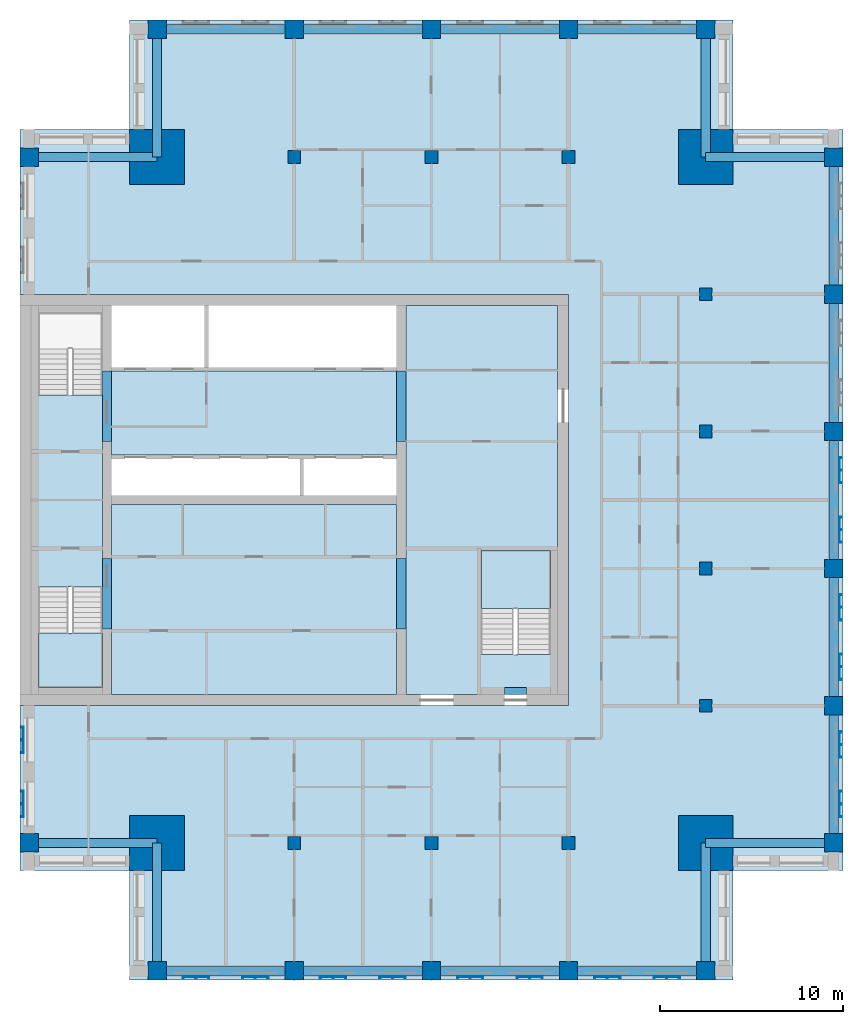
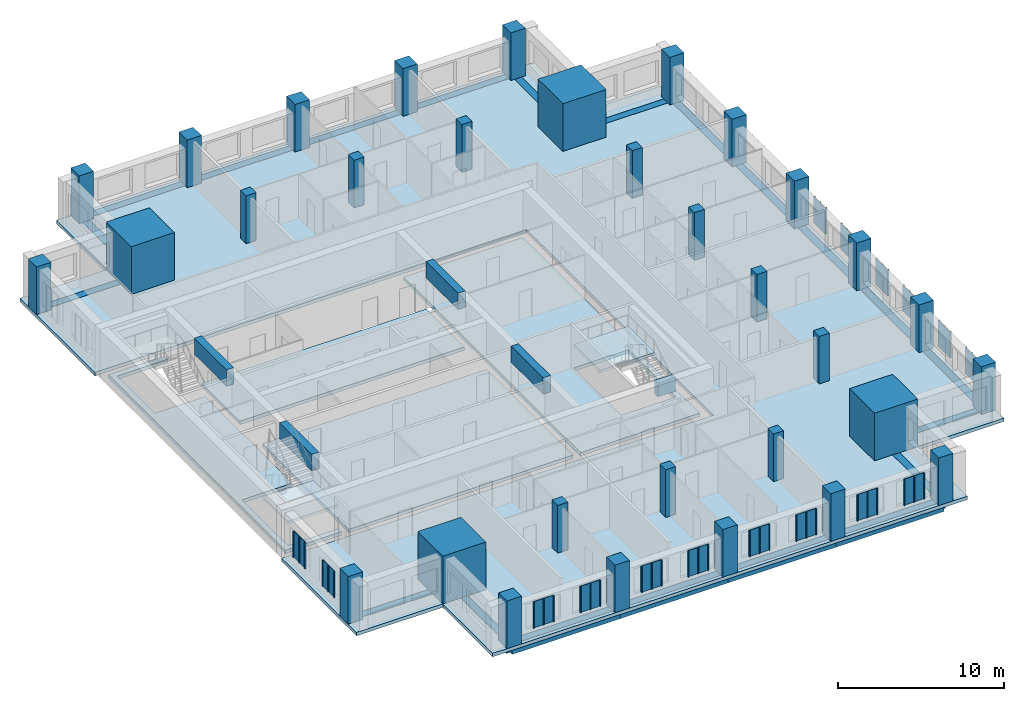
# One storey, part 1 of 10: 32 columns, 26 beams, 16 plates, 7 slabs, 2 elements without a shape of their own.
"""IFC4 building model written with IfcOpenShell, lengths in metres."""

from ifc_helpers import new_model, si_unit, direction, frame, origin, origin_2d, place, context, subcontext, project, spatial, polyline, rectangle, outline, extrude, material, layer, layer_set, material_profile, profile_set, type_object, element, aggregate, save


model = new_model("IFC4")

# Units and contexts
model_context = context("Model", 3, precision=1e-05, world=origin(), true_north=direction((0.0, 1.0)))
body_context = subcontext(model_context, "Body", "Model", "MODEL_VIEW")
ifc_project = project(units=[si_unit("LENGTHUNIT", "METRE"), si_unit("AREAUNIT", "SQUARE_METRE"), si_unit("VOLUMEUNIT", "CUBIC_METRE"), si_unit("PLANEANGLEUNIT", "RADIAN"), si_unit("MASSUNIT", "GRAM", prefix="KILO")], contexts=[model_context])

# Site, building, storey
site_placement = place(None, origin())
site = spatial("IfcSite", under=ifc_project, at=site_placement, CompositionType="ELEMENT")
building_placement = place(site_placement, origin())
building = spatial("IfcBuilding", under=site, at=building_placement, Name="Tamorin Gate", CompositionType="ELEMENT")
storey_placement = place(building_placement, frame((0.0, 0.0, 280.199951171875)))
storey = spatial("IfcBuildingStorey", under=building, at=storey_placement, Name="L70", CompositionType="ELEMENT", Elevation=280.199951171875)

# Columns
ifc_material_1 = material(Name="Concrete C50/60", Category="concrete")
ifc_material_profile_1 = material_profile(ifc_material_1, rectangle(XDim=1.0, YDim=1.0, at=origin_2d()), Name="RC 1000x1000")
ifc_profile_set_1 = profile_set([ifc_material_profile_1], Name="Concrete C50/60")
column_type_1 = type_object("IfcColumnType", Name="RC column 1000x1000 C50/60", PredefinedType="COLUMN", material=ifc_profile_set_1)
for number, where, z_axis, x_axis, name in (
    (1, (30.5, 52.5, 0.0), (0.0, 0.0, 1.0), (1.0, 0.0, 0.0), "Ring column L70"),
    (2, (30.5, 90.0, 0.0), (0.0, 0.0, 1.0), (1.0, 0.0, 0.0), "Ring column L70"),
    (3, (37.5, 45.5, 0.0), (0.0, 0.0, 1.0), (1.0, 0.0, 0.0), "Ring column L70"),
    (4, (37.5, 97.0, 0.0), (0.0, 0.0, 1.0), (1.0, 0.0, 0.0), "Ring column L70"),
    (5, (45.0, 45.5, 0.0), (0.0, 0.0, 1.0), (1.0, 0.0, 0.0), "Ring column L70"),
    (6, (45.0, 97.0, 0.0), (0.0, 0.0, 1.0), (1.0, 0.0, 0.0), "Ring column L70"),
    (7, (52.5, 45.5, 0.0), (0.0, 0.0, 1.0), (1.0, 0.0, 0.0), "Ring column L70"),
    (8, (52.5, 97.0, 0.0), (0.0, 0.0, 1.0), (1.0, 0.0, 0.0), "Ring column L70"),
    (9, (60.0, 45.5, 0.0), (0.0, 0.0, 1.0), (1.0, 0.0, 0.0), "Ring column L70"),
    (10, (60.0, 97.0, 0.0), (0.0, 0.0, 1.0), (1.0, 0.0, 0.0), "Ring column L70"),
    (11, (67.5, 45.5, 0.0), (0.0, 0.0, 1.0), (1.0, 0.0, 0.0), "Ring column L70"),
    (12, (67.5, 97.0, 0.0), (0.0, 0.0, 1.0), (1.0, 0.0, 0.0), "Ring column L70"),
    (13, (74.5, 52.5, 0.0), (0.0, 0.0, 1.0), (1.0, 0.0, 0.0), "Ring column L70"),
    (14, (74.5, 60.0, 0.0), (0.0, 0.0, 1.0), (1.0, 0.0, 0.0), "Ring column L70"),
    (15, (74.5, 67.5, 0.0), (0.0, 0.0, 1.0), (1.0, 0.0, 0.0), "Ring column L70"),
    (16, (74.5, 75.0, 0.0), (0.0, 0.0, 1.0), (1.0, 0.0, 0.0), "Ring column L70"),
    (17, (74.5, 82.5, 0.0), (0.0, 0.0, 1.0), (1.0, 0.0, 0.0), "Ring column L70"),
    (18, (74.5, 90.0, 0.0), (0.0, 0.0, 1.0), (1.0, 0.0, 0.0), "Ring column L70"),
):
    element("IfcColumn", number, at=place(storey_placement, frame(where, z_axis=z_axis, x_axis=x_axis)), inside=storey, type_object=column_type_1, Name=name, PredefinedType="COLUMN", context=body_context, shape_type="SweptSolid", body=[
        extrude(rectangle(XDim=1.0, YDim=1.0, at=origin_2d()), origin(), (0.0, 0.0, 1.0), 3.5),
    ])
ifc_material_profile_2 = material_profile(ifc_material_1, rectangle(XDim=3.0, YDim=3.0, at=origin_2d()), Name="RC 3000x3000")
ifc_profile_set_2 = profile_set([ifc_material_profile_2], Name="Concrete C50/60")
column_type_2 = type_object("IfcColumnType", Name="RC column 3000x3000 C50/60", PredefinedType="COLUMN", material=ifc_profile_set_2)
for number, where, z_axis, x_axis, name in (
    (19, (37.5, 52.5, 0.0), (0.0, 0.0, 1.0), (1.0, 0.0, 0.0), "Mega column SW L70"),
    (20, (67.5, 52.5, 0.0), (0.0, 0.0, 1.0), (1.0, 0.0, 0.0), "Mega column SE L70"),
    (21, (37.5, 90.0, 0.0), (0.0, 0.0, 1.0), (1.0, 0.0, 0.0), "Mega column NW L70"),
    (22, (67.5, 90.0, 0.0), (0.0, 0.0, 1.0), (1.0, 0.0, 0.0), "Mega column NE L70"),
):
    element("IfcColumn", number, at=place(storey_placement, frame(where, z_axis=z_axis, x_axis=x_axis)), inside=storey, type_object=column_type_2, Name=name, PredefinedType="COLUMN", context=body_context, shape_type="SweptSolid", body=[
        extrude(rectangle(XDim=3.0, YDim=3.0, at=origin_2d()), origin(), (0.0, 0.0, 1.0), 3.5),
    ])
ifc_material_profile_3 = material_profile(ifc_material_1, rectangle(XDim=0.699951171875, YDim=0.699951171875, at=origin_2d()), Name="RC 700x700")
ifc_profile_set_3 = profile_set([ifc_material_profile_3], Name="Concrete C50/60")
column_type_3 = type_object("IfcColumnType", Name="RC column 700x700 C50/60", PredefinedType="COLUMN", material=ifc_profile_set_3)
for number, where, z_axis, x_axis, name in (
    (23, (45.0, 52.5, 0.0), (0.0, 0.0, 1.0), (1.0, 0.0, 0.0), "Interior column L70"),
    (24, (45.0, 90.0, 0.0), (0.0, 0.0, 1.0), (1.0, 0.0, 0.0), "Interior column L70"),
    (25, (52.5, 52.5, 0.0), (0.0, 0.0, 1.0), (1.0, 0.0, 0.0), "Interior column L70"),
    (26, (52.5, 90.0, 0.0), (0.0, 0.0, 1.0), (1.0, 0.0, 0.0), "Interior column L70"),
    (27, (60.0, 52.5, 0.0), (0.0, 0.0, 1.0), (1.0, 0.0, 0.0), "Interior column L70"),
    (28, (60.0, 90.0, 0.0), (0.0, 0.0, 1.0), (1.0, 0.0, 0.0), "Interior column L70"),
    (29, (67.5, 60.0, 0.0), (0.0, 0.0, 1.0), (1.0, 0.0, 0.0), "Interior column L70"),
    (30, (67.5, 67.5, 0.0), (0.0, 0.0, 1.0), (1.0, 0.0, 0.0), "Interior column L70"),
    (31, (67.5, 75.0, 0.0), (0.0, 0.0, 1.0), (1.0, 0.0, 0.0), "Interior column L70"),
    (32, (67.5, 82.5, 0.0), (0.0, 0.0, 1.0), (1.0, 0.0, 0.0), "Interior column L70"),
):
    element("IfcColumn", number, at=place(storey_placement, frame(where, z_axis=z_axis, x_axis=x_axis)), inside=storey, type_object=column_type_3, Name=name, PredefinedType="COLUMN", context=body_context, shape_type="SweptSolid", body=[
        extrude(rectangle(XDim=0.699951171875, YDim=0.699951171875, at=origin_2d()), origin(), (0.0, 0.0, 1.0), 3.5),
    ])

# Beams
ifc_material_profile_4 = material_profile(ifc_material_1, rectangle(XDim=0.5, YDim=1.199951171875, at=origin_2d()), Name="RC 500x1200")
ifc_profile_set_4 = profile_set([ifc_material_profile_4], Name="Concrete C50/60")
beam_type_1 = type_object("IfcBeamType", Name="RC coupling beam 500x1200 C50/60", PredefinedType="BEAM", material=ifc_profile_set_4)
for number, where, z_axis, x_axis, name in (
    (33, (34.75, 64.199951171875, 2.900146484375), (0.0, 1.0, 0.0), (-1.0, 0.0, 0.0), "Coupling beam L70"),
    (34, (34.75, 74.449951171875, 2.900146484375), (0.0, 1.0, 0.0), (-1.0, 0.0, 0.0), "Coupling beam L70"),
    (35, (50.85009765625, 64.199951171875, 2.900146484375), (0.0, 1.0, 0.0), (-1.0, 0.0, 0.0), "Coupling beam L70"),
    (36, (50.85009765625, 74.449951171875, 2.900146484375), (0.0, 1.0, 0.0), (-1.0, 0.0, 0.0), "Coupling beam L70"),
):
    element("IfcBeam", number, at=place(storey_placement, frame(where, z_axis=z_axis, x_axis=x_axis)), inside=storey, type_object=beam_type_1, Name=name, PredefinedType="BEAM", context=body_context, shape_type="SweptSolid", body=[
        extrude(rectangle(XDim=0.5, YDim=1.199951171875, at=origin_2d()), origin(), (0.0, 0.0, 1.0), 3.85009765625),
    ])
ifc_material_profile_5 = material_profile(ifc_material_1, rectangle(XDim=0.5, YDim=0.75, at=origin_2d()), Name="RC 500x750")
ifc_profile_set_5 = profile_set([ifc_material_profile_5], Name="Concrete C50/60")
beam_type_2 = type_object("IfcBeamType", Name="RC spandrel 500x750 C50/60", PredefinedType="BEAM", material=ifc_profile_set_5)
for number, where, z_axis, x_axis, name in (
    (37, (37.5, 45.5, -0.375), (1.0, 0.0, 0.0), (0.0, 1.0, 0.0), "Spandrel beam L70"),
    (38, (45.0, 45.5, -0.375), (1.0, 0.0, 0.0), (0.0, 1.0, 0.0), "Spandrel beam L70"),
    (39, (52.5, 45.5, -0.375), (1.0, 0.0, 0.0), (0.0, 1.0, 0.0), "Spandrel beam L70"),
    (40, (60.0, 45.5, -0.375), (1.0, 0.0, 0.0), (0.0, 1.0, 0.0), "Spandrel beam L70"),
    (41, (74.5, 52.5, -0.375), (0.0, 1.0, 0.0), (-1.0, 0.0, 0.0), "Spandrel beam L70"),
    (42, (74.5, 60.0, -0.375), (0.0, 1.0, 0.0), (-1.0, 0.0, 0.0), "Spandrel beam L70"),
    (43, (74.5, 67.5, -0.375), (0.0, 1.0, 0.0), (-1.0, 0.0, 0.0), "Spandrel beam L70"),
    (44, (74.5, 75.0, -0.375), (0.0, 1.0, 0.0), (-1.0, 0.0, 0.0), "Spandrel beam L70"),
    (45, (74.5, 82.5, -0.375), (0.0, 1.0, 0.0), (-1.0, 0.0, 0.0), "Spandrel beam L70"),
    (46, (67.5, 97.0, -0.375), (-1.0, 0.0, 0.0), (0.0, -1.0, 0.0), "Spandrel beam L70"),
    (47, (60.0, 97.0, -0.375), (-1.0, 0.0, 0.0), (0.0, -1.0, 0.0), "Spandrel beam L70"),
    (48, (52.5, 97.0, -0.375), (-1.0, 0.0, 0.0), (0.0, -1.0, 0.0), "Spandrel beam L70"),
    (49, (45.0, 97.0, -0.375), (-1.0, 0.0, 0.0), (0.0, -1.0, 0.0), "Spandrel beam L70"),
):
    element("IfcBeam", number, at=place(storey_placement, frame(where, z_axis=z_axis, x_axis=x_axis)), inside=storey, type_object=beam_type_2, Name=name, PredefinedType="BEAM", context=body_context, shape_type="SweptSolid", body=[
        extrude(rectangle(XDim=0.5, YDim=0.75, at=origin_2d()), origin(), (0.0, 0.0, 1.0), 7.5),
    ])
for number, where, z_axis, x_axis, name in (
    (50, (37.5, 52.5, -0.375), (-1.0, 0.0, 0.0), (0.0, -1.0, 0.0), "Corner tie beam L70"),
    (51, (37.5, 52.5, -0.375), (0.0, -1.0, 0.0), (1.0, 0.0, 0.0), "Corner tie beam L70"),
    (52, (67.5, 52.5, -0.375), (0.0, -1.0, 0.0), (1.0, 0.0, 0.0), "Corner tie beam L70"),
    (53, (67.5, 52.5, -0.375), (1.0, 0.0, 0.0), (0.0, 1.0, 0.0), "Corner tie beam L70"),
    (54, (37.5, 90.0, -0.375), (-1.0, 0.0, 0.0), (0.0, -1.0, 0.0), "Corner tie beam L70"),
    (55, (37.5, 90.0, -0.375), (0.0, 1.0, 0.0), (-1.0, 0.0, 0.0), "Corner tie beam L70"),
    (56, (67.5, 90.0, -0.375), (0.0, 1.0, 0.0), (-1.0, 0.0, 0.0), "Corner tie beam L70"),
    (57, (67.5, 90.0, -0.375), (1.0, 0.0, 0.0), (0.0, 1.0, 0.0), "Corner tie beam L70"),
):
    element("IfcBeam", number, at=place(storey_placement, frame(where, z_axis=z_axis, x_axis=x_axis)), inside=storey, type_object=beam_type_2, Name=name, PredefinedType="BEAM", context=body_context, shape_type="SweptSolid", body=[
        extrude(rectangle(XDim=0.5, YDim=0.75, at=origin_2d()), origin(), (0.0, 0.0, 1.0), 7.0),
    ])
ifc_material_profile_6 = material_profile(ifc_material_1, rectangle(XDim=0.39990234375, YDim=1.0, at=origin_2d()))
ifc_profile_set_6 = profile_set([ifc_material_profile_6], Name="Concrete C50/60")
beam_type_3 = type_object("IfcBeamType", Name="Stair lintel 400x1000 C50/60", PredefinedType="BEAM", material=ifc_profile_set_6)
beam_placement = place(storey_placement, frame((56.5, 60.800048828125, 2.699951171875), z_axis=(1.0, 0.0, 0.0), x_axis=(0.0, 1.0, 0.0)))
element("IfcBeam", 58, at=beam_placement, inside=storey, type_object=beam_type_3, Name="Stair lintel", PredefinedType="BEAM", context=body_context, shape_type="SweptSolid", body=[
    extrude(rectangle(XDim=0.39990234375, YDim=1.0, at=origin_2d()), origin(), (0.0, 0.0, 1.0), 1.199951171875),
])

# Slabs
ifc_material_2 = material(Name="Concrete C40/50", Category="concrete")
ifc_layer_1 = layer(ifc_material_2, 0.25)
ifc_layer_set_1 = layer_set([ifc_layer_1], Name="Core floor slab 250 C40/50")
slab_type_1 = type_object("IfcSlabType", Name="Core floor slab 250 C40/50", PredefinedType="FLOOR", material=ifc_layer_set_1)
slab_1_placement = place(storey_placement, frame((0.0, 0.0, -0.25)))
element("IfcSlab", 59, at=slab_1_placement, inside=storey, type_object=slab_type_1, Name="Core floor L70", PredefinedType="FLOOR", context=body_context, shape_type="SweptSolid", body=[
    extrude(outline(polyline([(51.10009765625, 81.89990234375), (59.39990234375, 81.89990234375), (59.39990234375, 60.60009765625), (51.10009765625, 60.60009765625), (51.10009765625, 81.89990234375)]), holes=[polyline([(55.199951171875, 62.800048828125), (59.0, 62.800048828125), (59.0, 68.5), (55.199951171875, 68.5), (55.199951171875, 62.800048828125)])]), origin(), (0.0, 0.0, 1.0), 0.25),
])
slab_2_placement = place(storey_placement, frame((0.0, 0.0, -0.25)))
element("IfcSlab", 60, at=slab_2_placement, inside=storey, type_object=slab_type_1, Name="Core floor L70", PredefinedType="FLOOR", context=body_context, shape_type="SweptSolid", body=[
    extrude(outline(polyline([(50.60009765625, 71.0), (50.60009765625, 60.60009765625), (35.0, 60.60009765625), (35.0, 71.0), (50.60009765625, 71.0)])), origin(), (0.0, 0.0, 1.0), 0.25),
])
slab_3_placement = place(storey_placement, frame((0.0, 0.0, -0.25)))
element("IfcSlab", 61, at=slab_3_placement, inside=storey, type_object=slab_type_1, Name="Core floor L70", PredefinedType="FLOOR", context=body_context, shape_type="SweptSolid", body=[
    extrude(outline(polyline([(50.60009765625, 73.699951171875), (35.0, 73.699951171875), (35.0, 78.300048828125), (50.60009765625, 78.300048828125), (50.60009765625, 73.699951171875)])), origin(), (0.0, 0.0, 1.0), 0.25),
])
slab_4_placement = place(storey_placement, frame((0.0, 0.0, -0.25)))
element("IfcSlab", 62, at=slab_4_placement, inside=storey, type_object=slab_type_1, Name="Core floor L70", PredefinedType="FLOOR", context=body_context, shape_type="SweptSolid", body=[
    extrude(outline(polyline([(34.5, 60.60009765625), (30.60009765625, 60.60009765625), (30.60009765625, 81.89990234375), (34.5, 81.89990234375), (34.5, 81.5), (31.0, 81.5), (31.0, 77.0), (34.5, 77.0), (34.5, 66.5), (31.0, 66.5), (31.0, 61.0), (34.5, 61.0), (34.5, 60.60009765625)])), origin(), (0.0, 0.0, 1.0), 0.25),
])

# Stair, slab
stair_type = type_object("IfcStairType", Name="Exit stair", PredefinedType="HALF_TURN_STAIR", material=ifc_material_2)
stair_1_placement = place(storey_placement, origin())
stair_1 = element("IfcStair", 63, at=stair_1_placement, inside=storey, type_object=stair_type, Name="L70 stair ST1", PredefinedType="HALF_TURN_STAIR")
ifc_layer_2 = layer(ifc_material_2, 0.199951171875)
ifc_layer_set_2 = layer_set([ifc_layer_2], Name="Exit stair landing 200")
slab_type_2 = type_object("IfcSlabType", Name="Exit stair landing 200", PredefinedType="LANDING", material=ifc_layer_set_2)
slab_5_placement = place(storey_placement, frame((0.0, 0.0, 1.550048828125)))
slab_5 = element("IfcSlab", 64, at=slab_5_placement, type_object=slab_type_2, Name="ST1 landing 1", PredefinedType="LANDING", context=body_context, shape_type="SweptSolid", body=[
    extrude(outline(polyline([(31.0, 63.97998046875), (31.0, 61.0), (34.5, 61.0), (34.5, 63.97998046875), (31.0, 63.97998046875)])), origin(), (0.0, 0.0, 1.0), 0.199951171875),
])
aggregate(stair_1, [slab_5])

stair_2_placement = place(storey_placement, origin())
stair_2 = element("IfcStair", 65, at=stair_2_placement, inside=storey, type_object=stair_type, Name="L70 stair ST3", PredefinedType="HALF_TURN_STAIR")
slab_6_placement = place(storey_placement, frame((0.0, 0.0, 1.550048828125)))
slab_6 = element("IfcSlab", 66, at=slab_6_placement, type_object=slab_type_2, Name="ST3 landing 1", PredefinedType="LANDING", context=body_context, shape_type="SweptSolid", body=[
    extrude(outline(polyline([(59.0, 65.320068359375), (59.0, 68.5), (55.199951171875, 68.5), (55.199951171875, 65.320068359375), (59.0, 65.320068359375)])), origin(), (0.0, 0.0, 1.0), 0.199951171875),
])
aggregate(stair_2, [slab_6])

# Slab
ifc_layer_3 = layer(ifc_material_2, 0.25)
ifc_layer_set_3 = layer_set([ifc_layer_3], Name="Floor slab 250 C40/50")
slab_type_3 = type_object("IfcSlabType", Name="Floor slab 250 C40/50", PredefinedType="FLOOR", material=ifc_layer_set_3)
slab_7_placement = place(storey_placement, frame((0.0, 0.0, -0.25)))
element("IfcSlab", 67, at=slab_7_placement, inside=storey, type_object=slab_type_3, Name="Floor L70", PredefinedType="FLOOR", context=body_context, shape_type="SweptSolid", body=[
    extrude(outline(polyline([(30.0, 91.5), (36.0, 91.5), (36.0, 97.5), (69.0, 97.5), (69.0, 91.5), (75.0, 91.5), (75.0, 51.0), (69.0, 51.0), (69.0, 45.0), (36.0, 45.0), (36.0, 51.0), (30.0, 51.0), (30.0, 60.0), (60.0, 60.0), (60.0, 82.5), (30.0, 82.5), (30.0, 91.5)])), origin(), (0.0, 0.0, 1.0), 0.25),
])

# Plates
ifc_material_3 = material(Name="Perforated pale aluminium sheet", Category="aluminium")
ifc_layer_4 = layer(ifc_material_3, 0.0400390625)
ifc_layer_set_4 = layer_set([ifc_layer_4], Name="Pale metal solar screen 1440")
plate_type = type_object("IfcPlateType", Name="Pale metal solar screen 1440", PredefinedType="SHEET", material=ifc_layer_set_4)
plate_1_placement = place(storey_placement, frame((0.0, 0.0, 0.737548828125)))
element("IfcPlate", 68, at=plate_1_placement, inside=storey, type_object=plate_type, Name="Perforated solar screen", PredefinedType="SHEET", context=body_context, shape_type="SweptSolid", body=[
    extrude(outline(polyline([(38.905029296875, 45.159912109375), (38.905029296875, 45.199951171875), (38.965087890625, 45.199951171875), (39.594970703125, 45.199951171875), (39.655029296875, 45.199951171875), (40.284912109375, 45.199951171875), (40.344970703125, 45.199951171875), (40.344970703125, 45.199951171875), (40.344970703125, 45.159912109375), (40.344970703125, 45.159912109375), (40.344970703125, 45.10009765625), (40.284912109375, 45.10009765625), (40.284912109375, 45.159912109375), (39.655029296875, 45.159912109375), (39.655029296875, 45.10009765625), (39.594970703125, 45.10009765625), (39.594970703125, 45.159912109375), (38.965087890625, 45.159912109375), (38.965087890625, 45.10009765625), (38.905029296875, 45.10009765625), (38.905029296875, 45.159912109375)])), origin(), (0.0, 0.0, 1.0), 1.925048828125),
])
plate_2_placement = place(storey_placement, frame((0.0, 0.0, 0.737548828125)))
element("IfcPlate", 69, at=plate_2_placement, inside=storey, type_object=plate_type, Name="Perforated solar screen", PredefinedType="SHEET", context=body_context, shape_type="SweptSolid", body=[
    extrude(outline(polyline([(42.155029296875, 45.159912109375), (42.155029296875, 45.199951171875), (42.215087890625, 45.199951171875), (42.844970703125, 45.199951171875), (42.905029296875, 45.199951171875), (43.534912109375, 45.199951171875), (43.594970703125, 45.199951171875), (43.594970703125, 45.199951171875), (43.594970703125, 45.159912109375), (43.594970703125, 45.159912109375), (43.594970703125, 45.10009765625), (43.534912109375, 45.10009765625), (43.534912109375, 45.159912109375), (42.905029296875, 45.159912109375), (42.905029296875, 45.10009765625), (42.844970703125, 45.10009765625), (42.844970703125, 45.159912109375), (42.215087890625, 45.159912109375), (42.215087890625, 45.10009765625), (42.155029296875, 45.10009765625), (42.155029296875, 45.159912109375)])), origin(), (0.0, 0.0, 1.0), 1.925048828125),
])
plate_3_placement = place(storey_placement, frame((0.0, 0.0, 0.737548828125)))
element("IfcPlate", 70, at=plate_3_placement, inside=storey, type_object=plate_type, Name="Perforated solar screen", PredefinedType="SHEET", context=body_context, shape_type="SweptSolid", body=[
    extrude(outline(polyline([(46.405029296875, 45.159912109375), (46.405029296875, 45.199951171875), (46.465087890625, 45.199951171875), (47.094970703125, 45.199951171875), (47.155029296875, 45.199951171875), (47.784912109375, 45.199951171875), (47.844970703125, 45.199951171875), (47.844970703125, 45.159912109375), (47.844970703125, 45.10009765625), (47.784912109375, 45.10009765625), (47.784912109375, 45.159912109375), (47.155029296875, 45.159912109375), (47.155029296875, 45.10009765625), (47.094970703125, 45.10009765625), (47.094970703125, 45.159912109375), (46.465087890625, 45.159912109375), (46.465087890625, 45.10009765625), (46.405029296875, 45.10009765625), (46.405029296875, 45.159912109375)])), origin(), (0.0, 0.0, 1.0), 1.925048828125),
])
plate_4_placement = place(storey_placement, frame((0.0, 0.0, 0.737548828125)))
element("IfcPlate", 71, at=plate_4_placement, inside=storey, type_object=plate_type, Name="Perforated solar screen", PredefinedType="SHEET", context=body_context, shape_type="SweptSolid", body=[
    extrude(outline(polyline([(49.655029296875, 45.159912109375), (49.655029296875, 45.199951171875), (49.715087890625, 45.199951171875), (50.344970703125, 45.199951171875), (50.405029296875, 45.199951171875), (51.034912109375, 45.199951171875), (51.094970703125, 45.199951171875), (51.094970703125, 45.159912109375), (51.094970703125, 45.10009765625), (51.034912109375, 45.10009765625), (51.034912109375, 45.159912109375), (50.405029296875, 45.159912109375), (50.405029296875, 45.10009765625), (50.344970703125, 45.10009765625), (50.344970703125, 45.159912109375), (49.715087890625, 45.159912109375), (49.715087890625, 45.10009765625), (49.655029296875, 45.10009765625), (49.655029296875, 45.159912109375)])), origin(), (0.0, 0.0, 1.0), 1.925048828125),
])
plate_5_placement = place(storey_placement, frame((0.0, 0.0, 0.737548828125)))
element("IfcPlate", 72, at=plate_5_placement, inside=storey, type_object=plate_type, Name="Perforated solar screen", PredefinedType="SHEET", context=body_context, shape_type="SweptSolid", body=[
    extrude(outline(polyline([(53.905029296875, 45.159912109375), (53.905029296875, 45.199951171875), (53.965087890625, 45.199951171875), (54.594970703125, 45.199951171875), (54.655029296875, 45.199951171875), (55.284912109375, 45.199951171875), (55.344970703125, 45.199951171875), (55.344970703125, 45.159912109375), (55.344970703125, 45.10009765625), (55.284912109375, 45.10009765625), (55.284912109375, 45.159912109375), (54.655029296875, 45.159912109375), (54.655029296875, 45.10009765625), (54.594970703125, 45.10009765625), (54.594970703125, 45.159912109375), (53.965087890625, 45.159912109375), (53.965087890625, 45.10009765625), (53.905029296875, 45.10009765625), (53.905029296875, 45.159912109375)])), origin(), (0.0, 0.0, 1.0), 1.925048828125),
])
plate_6_placement = place(storey_placement, frame((0.0, 0.0, 0.737548828125)))
element("IfcPlate", 73, at=plate_6_placement, inside=storey, type_object=plate_type, Name="Perforated solar screen", PredefinedType="SHEET", context=body_context, shape_type="SweptSolid", body=[
    extrude(outline(polyline([(57.155029296875, 45.159912109375), (57.155029296875, 45.199951171875), (57.215087890625, 45.199951171875), (57.844970703125, 45.199951171875), (57.905029296875, 45.199951171875), (58.534912109375, 45.199951171875), (58.594970703125, 45.199951171875), (58.594970703125, 45.159912109375), (58.594970703125, 45.10009765625), (58.534912109375, 45.10009765625), (58.534912109375, 45.159912109375), (57.905029296875, 45.159912109375), (57.905029296875, 45.10009765625), (57.844970703125, 45.10009765625), (57.844970703125, 45.159912109375), (57.215087890625, 45.159912109375), (57.215087890625, 45.10009765625), (57.155029296875, 45.10009765625), (57.155029296875, 45.159912109375)])), origin(), (0.0, 0.0, 1.0), 1.925048828125),
])
plate_7_placement = place(storey_placement, frame((0.0, 0.0, 0.737548828125)))
element("IfcPlate", 74, at=plate_7_placement, inside=storey, type_object=plate_type, Name="Perforated solar screen", PredefinedType="SHEET", context=body_context, shape_type="SweptSolid", body=[
    extrude(outline(polyline([(61.405029296875, 45.159912109375), (61.405029296875, 45.199951171875), (61.465087890625, 45.199951171875), (62.094970703125, 45.199951171875), (62.155029296875, 45.199951171875), (62.784912109375, 45.199951171875), (62.844970703125, 45.199951171875), (62.844970703125, 45.159912109375), (62.844970703125, 45.10009765625), (62.784912109375, 45.10009765625), (62.784912109375, 45.159912109375), (62.155029296875, 45.159912109375), (62.155029296875, 45.10009765625), (62.094970703125, 45.10009765625), (62.094970703125, 45.159912109375), (61.465087890625, 45.159912109375), (61.465087890625, 45.10009765625), (61.405029296875, 45.10009765625), (61.405029296875, 45.159912109375)])), origin(), (0.0, 0.0, 1.0), 1.925048828125),
])
plate_8_placement = place(storey_placement, frame((0.0, 0.0, 0.737548828125)))
element("IfcPlate", 75, at=plate_8_placement, inside=storey, type_object=plate_type, Name="Perforated solar screen", PredefinedType="SHEET", context=body_context, shape_type="SweptSolid", body=[
    extrude(outline(polyline([(64.655029296875, 45.159912109375), (64.655029296875, 45.199951171875), (64.715087890625, 45.199951171875), (65.344970703125, 45.199951171875), (65.405029296875, 45.199951171875), (66.034912109375, 45.199951171875), (66.094970703125, 45.199951171875), (66.094970703125, 45.159912109375), (66.094970703125, 45.10009765625), (66.034912109375, 45.10009765625), (66.034912109375, 45.159912109375), (65.405029296875, 45.159912109375), (65.405029296875, 45.10009765625), (65.344970703125, 45.10009765625), (65.344970703125, 45.159912109375), (64.715087890625, 45.159912109375), (64.715087890625, 45.10009765625), (64.655029296875, 45.10009765625), (64.655029296875, 45.159912109375)])), origin(), (0.0, 0.0, 1.0), 1.925048828125),
])
plate_9_placement = place(storey_placement, frame((0.0, 0.0, 0.737548828125)))
element("IfcPlate", 76, at=plate_9_placement, inside=storey, type_object=plate_type, Name="Perforated solar screen", PredefinedType="SHEET", context=body_context, shape_type="SweptSolid", body=[
    extrude(outline(polyline([(74.840087890625, 53.905029296875), (74.800048828125, 53.905029296875), (74.800048828125, 53.965087890625), (74.800048828125, 54.594970703125), (74.800048828125, 54.655029296875), (74.800048828125, 55.284912109375), (74.800048828125, 55.344970703125), (74.800048828125, 55.344970703125), (74.840087890625, 55.344970703125), (74.840087890625, 55.344970703125), (74.89990234375, 55.344970703125), (74.89990234375, 55.284912109375), (74.840087890625, 55.284912109375), (74.840087890625, 54.655029296875), (74.89990234375, 54.655029296875), (74.89990234375, 54.594970703125), (74.840087890625, 54.594970703125), (74.840087890625, 53.965087890625), (74.89990234375, 53.965087890625), (74.89990234375, 53.905029296875), (74.840087890625, 53.905029296875)])), origin(), (0.0, 0.0, 1.0), 1.925048828125),
])
plate_10_placement = place(storey_placement, frame((0.0, 0.0, 0.737548828125)))
element("IfcPlate", 77, at=plate_10_placement, inside=storey, type_object=plate_type, Name="Perforated solar screen", PredefinedType="SHEET", context=body_context, shape_type="SweptSolid", body=[
    extrude(outline(polyline([(74.840087890625, 57.155029296875), (74.800048828125, 57.155029296875), (74.800048828125, 57.215087890625), (74.800048828125, 57.844970703125), (74.800048828125, 57.905029296875), (74.800048828125, 58.534912109375), (74.800048828125, 58.594970703125), (74.800048828125, 58.594970703125), (74.840087890625, 58.594970703125), (74.840087890625, 58.594970703125), (74.89990234375, 58.594970703125), (74.89990234375, 58.534912109375), (74.840087890625, 58.534912109375), (74.840087890625, 57.905029296875), (74.89990234375, 57.905029296875), (74.89990234375, 57.844970703125), (74.840087890625, 57.844970703125), (74.840087890625, 57.215087890625), (74.89990234375, 57.215087890625), (74.89990234375, 57.155029296875), (74.840087890625, 57.155029296875)])), origin(), (0.0, 0.0, 1.0), 1.925048828125),
])
plate_11_placement = place(storey_placement, frame((0.0, 0.0, 0.737548828125)))
element("IfcPlate", 78, at=plate_11_placement, inside=storey, type_object=plate_type, Name="Perforated solar screen", PredefinedType="SHEET", context=body_context, shape_type="SweptSolid", body=[
    extrude(outline(polyline([(74.840087890625, 61.405029296875), (74.800048828125, 61.405029296875), (74.800048828125, 61.465087890625), (74.800048828125, 62.094970703125), (74.800048828125, 62.155029296875), (74.800048828125, 62.784912109375), (74.800048828125, 62.844970703125), (74.840087890625, 62.844970703125), (74.89990234375, 62.844970703125), (74.89990234375, 62.784912109375), (74.840087890625, 62.784912109375), (74.840087890625, 62.155029296875), (74.89990234375, 62.155029296875), (74.89990234375, 62.094970703125), (74.840087890625, 62.094970703125), (74.840087890625, 61.465087890625), (74.89990234375, 61.465087890625), (74.89990234375, 61.405029296875), (74.840087890625, 61.405029296875)])), origin(), (0.0, 0.0, 1.0), 1.925048828125),
])
plate_12_placement = place(storey_placement, frame((0.0, 0.0, 0.737548828125)))
element("IfcPlate", 79, at=plate_12_placement, inside=storey, type_object=plate_type, Name="Perforated solar screen", PredefinedType="SHEET", context=body_context, shape_type="SweptSolid", body=[
    extrude(outline(polyline([(74.840087890625, 64.655029296875), (74.800048828125, 64.655029296875), (74.800048828125, 64.715087890625), (74.800048828125, 65.344970703125), (74.800048828125, 65.405029296875), (74.800048828125, 66.034912109375), (74.800048828125, 66.094970703125), (74.840087890625, 66.094970703125), (74.89990234375, 66.094970703125), (74.89990234375, 66.034912109375), (74.840087890625, 66.034912109375), (74.840087890625, 65.405029296875), (74.89990234375, 65.405029296875), (74.89990234375, 65.344970703125), (74.840087890625, 65.344970703125), (74.840087890625, 64.715087890625), (74.89990234375, 64.715087890625), (74.89990234375, 64.655029296875), (74.840087890625, 64.655029296875)])), origin(), (0.0, 0.0, 1.0), 1.925048828125),
])
plate_13_placement = place(storey_placement, frame((0.0, 0.0, 0.737548828125)))
element("IfcPlate", 80, at=plate_13_placement, inside=storey, type_object=plate_type, Name="Perforated solar screen", PredefinedType="SHEET", context=body_context, shape_type="SweptSolid", body=[
    extrude(outline(polyline([(74.840087890625, 68.905029296875), (74.800048828125, 68.905029296875), (74.800048828125, 68.965087890625), (74.800048828125, 69.594970703125), (74.800048828125, 69.655029296875), (74.800048828125, 70.284912109375), (74.800048828125, 70.344970703125), (74.840087890625, 70.344970703125), (74.89990234375, 70.344970703125), (74.89990234375, 70.284912109375), (74.840087890625, 70.284912109375), (74.840087890625, 69.655029296875), (74.89990234375, 69.655029296875), (74.89990234375, 69.594970703125), (74.840087890625, 69.594970703125), (74.840087890625, 68.965087890625), (74.89990234375, 68.965087890625), (74.89990234375, 68.905029296875), (74.840087890625, 68.905029296875)])), origin(), (0.0, 0.0, 1.0), 1.925048828125),
])
plate_14_placement = place(storey_placement, frame((0.0, 0.0, 0.737548828125)))
element("IfcPlate", 81, at=plate_14_placement, inside=storey, type_object=plate_type, Name="Perforated solar screen", PredefinedType="SHEET", context=body_context, shape_type="SweptSolid", body=[
    extrude(outline(polyline([(74.840087890625, 72.155029296875), (74.800048828125, 72.155029296875), (74.800048828125, 72.215087890625), (74.800048828125, 72.844970703125), (74.800048828125, 72.905029296875), (74.800048828125, 73.534912109375), (74.800048828125, 73.594970703125), (74.840087890625, 73.594970703125), (74.89990234375, 73.594970703125), (74.89990234375, 73.534912109375), (74.840087890625, 73.534912109375), (74.840087890625, 72.905029296875), (74.89990234375, 72.905029296875), (74.89990234375, 72.844970703125), (74.840087890625, 72.844970703125), (74.840087890625, 72.215087890625), (74.89990234375, 72.215087890625), (74.89990234375, 72.155029296875), (74.840087890625, 72.155029296875)])), origin(), (0.0, 0.0, 1.0), 1.925048828125),
])
plate_15_placement = place(storey_placement, frame((0.0, 0.0, 0.737548828125)))
element("IfcPlate", 82, at=plate_15_placement, inside=storey, type_object=plate_type, Name="Perforated solar screen", PredefinedType="SHEET", context=body_context, shape_type="SweptSolid", body=[
    extrude(outline(polyline([(30.159912109375, 55.344970703125), (30.199951171875, 55.344970703125), (30.199951171875, 55.284912109375), (30.199951171875, 54.655029296875), (30.199951171875, 54.594970703125), (30.199951171875, 53.965087890625), (30.199951171875, 53.905029296875), (30.159912109375, 53.905029296875), (30.10009765625, 53.905029296875), (30.10009765625, 53.965087890625), (30.159912109375, 53.965087890625), (30.159912109375, 54.594970703125), (30.10009765625, 54.594970703125), (30.10009765625, 54.655029296875), (30.159912109375, 54.655029296875), (30.159912109375, 55.284912109375), (30.10009765625, 55.284912109375), (30.10009765625, 55.344970703125), (30.159912109375, 55.344970703125)])), origin(), (0.0, 0.0, 1.0), 1.925048828125),
])
plate_16_placement = place(storey_placement, frame((0.0, 0.0, 0.737548828125)))
element("IfcPlate", 83, at=plate_16_placement, inside=storey, type_object=plate_type, Name="Perforated solar screen", PredefinedType="SHEET", context=body_context, shape_type="SweptSolid", body=[
    extrude(outline(polyline([(30.159912109375, 58.844970703125), (30.199951171875, 58.844970703125), (30.199951171875, 58.784912109375), (30.199951171875, 58.155029296875), (30.199951171875, 58.094970703125), (30.199951171875, 57.465087890625), (30.199951171875, 57.405029296875), (30.159912109375, 57.405029296875), (30.10009765625, 57.405029296875), (30.10009765625, 57.465087890625), (30.159912109375, 57.465087890625), (30.159912109375, 58.094970703125), (30.10009765625, 58.094970703125), (30.10009765625, 58.155029296875), (30.159912109375, 58.155029296875), (30.159912109375, 58.784912109375), (30.10009765625, 58.784912109375), (30.10009765625, 58.844970703125), (30.159912109375, 58.844970703125)])), origin(), (0.0, 0.0, 1.0), 1.925048828125),
])

save(model, "model.ifc")
